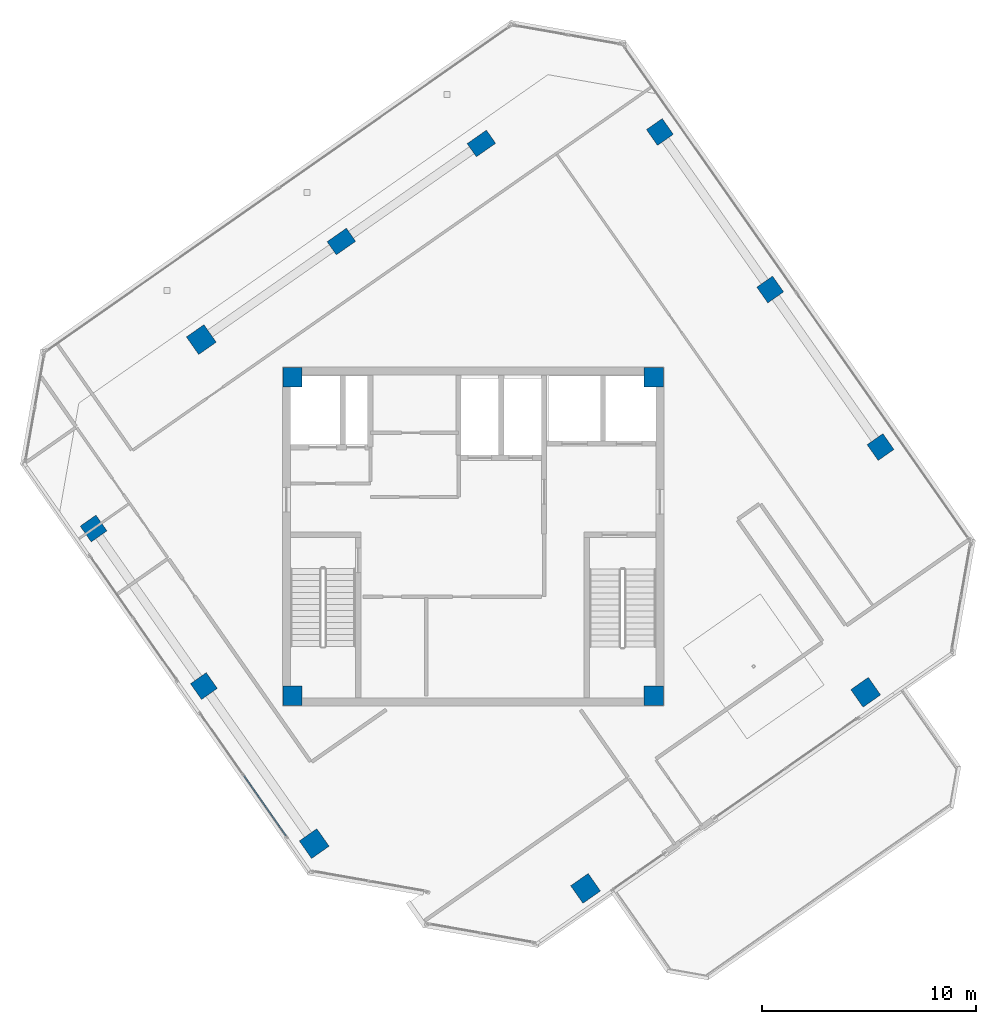
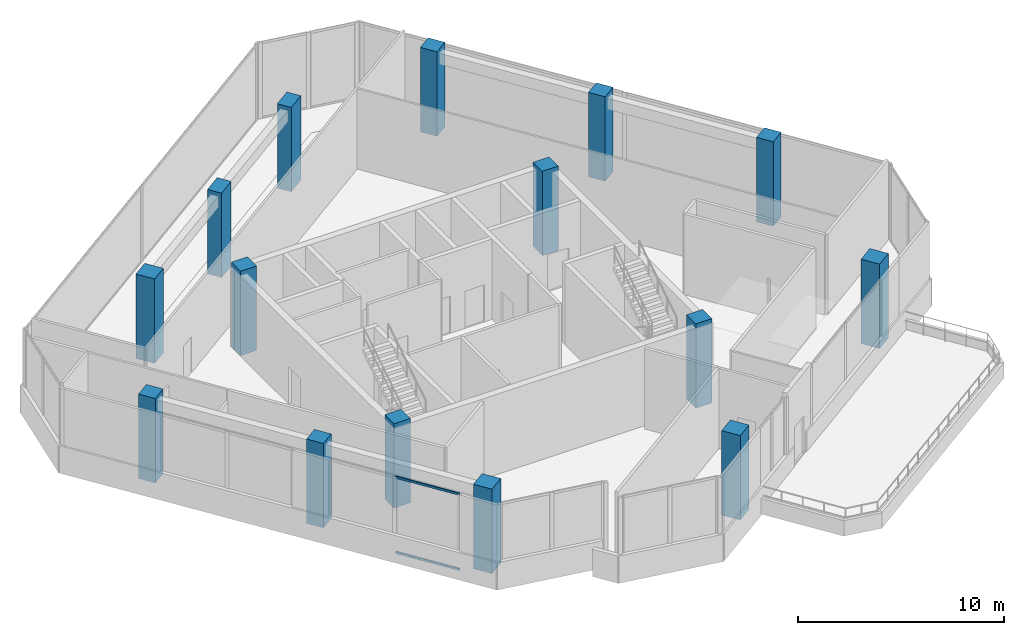
# One storey, part 1 of 16: 15 columns, 2 members, 1 element without a shape of its own.
"""IFC4 building model written with IfcOpenShell, lengths in metres."""

from ifc_helpers import new_model, si_unit, direction, frame, origin, origin_2d, place, context, subcontext, project, spatial, rectangle, hollow_rectangle, extrude, source, transform, mapped, material, material_profile, profile_set, type_object, element, aggregate, save


model = new_model("IFC4")

# Units and contexts
model_context = context("Model", 3, precision=1e-05, world=origin(), true_north=direction((0.0, 1.0)))
body_context = subcontext(model_context, "Body", "Model", "MODEL_VIEW")
ifc_project = project(units=[si_unit("LENGTHUNIT", "METRE"), si_unit("AREAUNIT", "SQUARE_METRE"), si_unit("VOLUMEUNIT", "CUBIC_METRE"), si_unit("PLANEANGLEUNIT", "RADIAN"), si_unit("MASSUNIT", "GRAM", prefix="KILO")], contexts=[model_context])

# Site, building, storey
site_placement = place(None, origin())
site = spatial("IfcSite", under=ifc_project, at=site_placement, CompositionType="ELEMENT")
building_placement = place(site_placement, origin())
building = spatial("IfcBuilding", under=site, at=building_placement, Name="Torre Montelarca", CompositionType="ELEMENT")
storey_placement = place(building_placement, frame((0.0, 0.0, 293.800048828125)))
storey = spatial("IfcBuildingStorey", under=building, at=storey_placement, Name="L66", CompositionType="ELEMENT", Elevation=293.800048828125)

# Columns
ifc_material_1 = material(Name="Concrete C55/67", Category="concrete")
ifc_material_profile_1 = material_profile(ifc_material_1, rectangle(XDim=0.89990234375, YDim=0.89990234375, at=origin_2d()), Name="RC900X900", Category="concrete")
ifc_profile_set_1 = profile_set([ifc_material_profile_1], Name="Concrete C55/67")
column_type_1 = type_object("IfcColumnType", Name="COL-RC900", PredefinedType="COLUMN", material=ifc_profile_set_1)
shared_shape_1 = source(origin(), body_context, "Body", "SweptSolid", [
    extrude(rectangle(XDim=0.89990234375, YDim=0.89990234375, at=origin_2d()), origin(), (0.0, 0.0, 1.0), 4.99853515625),
])
for number, where, z_axis, x_axis, name in (
    (1, (9.550048828125, 24.550048828125, 0.000732421875), (0.0, 0.0, 1.0), (1.0, 0.0, 0.0), "L66 Plumb Core Corner Column 2D"),
    (2, (26.449951171875, 24.550048828125, 0.000732421875), (0.0, 0.0, 1.0), (1.0, 0.0, 0.0), "L66 Plumb Core Corner Column 4D"),
    (3, (9.550048828125, 39.449951171875, 0.000732421875), (0.0, 0.0, 1.0), (1.0, 0.0, 0.0), "L66 Plumb Core Corner Column 2F"),
    (4, (26.449951171875, 39.449951171875, 0.000732421875), (0.0, 0.0, 1.0), (1.0, 0.0, 0.0), "L66 Plumb Core Corner Column 4F"),
):
    element("IfcColumn", number, at=place(storey_placement, frame(where, z_axis=z_axis, x_axis=x_axis)), inside=storey, type_object=column_type_1, Name=name, PredefinedType="COLUMN", context=body_context, shape_type="MappedRepresentation", body=[
        mapped(shared_shape_1, transform((0.0, 0.0, 0.0), scale=1.0)),
    ])
ifc_material_profile_2 = material_profile(ifc_material_1, rectangle(XDim=0.89990234375, YDim=0.89990234375, at=origin_2d()), Name="RC900X900", Category="concrete")
ifc_profile_set_2 = profile_set([ifc_material_profile_2], Name="Concrete C55/67")
column_type_2 = type_object("IfcColumnType", Name="COL-RC900-EXT", PredefinedType="COLUMN", material=ifc_profile_set_2)
shared_shape_2 = source(origin(), body_context, "Body", "SweptSolid", [
    extrude(rectangle(XDim=0.89990234375, YDim=0.89990234375, at=origin_2d()), origin(), (0.0, 0.0, 1.0), 4.99853515625),
])
for number, where, z_axis, x_axis, name in (
    (5, (0.240966796875, 32.373779296875, 0.000732421875), (0.0, 0.0, 1.0), (-0.573576436351, 0.819152044289, 0.0), "L66 Column 2/CS"),
    (6, (26.740478515625, 50.92919921875, 0.000732421875), (0.0, 0.0, 1.0), (-0.573576436351, 0.819152044289, 0.0), "L66 Column 2/GN"),
    (7, (5.403076171875, 25.00146484375, 0.000732421875), (0.0, 0.0, 1.0), (-0.573576436351, 0.819152044289, 0.0), "L66 Column 3/CS"),
    (8, (31.902587890625, 43.556640625, 0.000732421875), (0.0, 0.0, 1.0), (-0.573576436351, 0.819152044289, 0.0), "L66 Column 3/GN"),
    (9, (37.064697265625, 36.184326171875, 0.000732421875), (0.0, 0.0, 1.0), (-0.573576436351, 0.819152044289, 0.0), "L66 Column 4/GN"),
):
    element("IfcColumn", number, at=place(storey_placement, frame(where, z_axis=z_axis, x_axis=x_axis)), inside=storey, type_object=column_type_2, Name=name, PredefinedType="COLUMN", context=body_context, shape_type="MappedRepresentation", body=[
        mapped(shared_shape_2, transform((0.0, 0.0, 0.0), scale=1.0)),
    ])
ifc_material_profile_3 = material_profile(ifc_material_1, rectangle(XDim=1.0, YDim=1.0, at=origin_2d()), Name="RC1000X1000", Category="concrete")
ifc_profile_set_3 = profile_set([ifc_material_profile_3], Name="Concrete C55/67")
column_type_3 = type_object("IfcColumnType", Name="COL-RC1000-EXT", PredefinedType="COLUMN", material=ifc_profile_set_3)
shared_shape_3 = source(origin(), body_context, "Body", "SweptSolid", [
    extrude(rectangle(XDim=1.0, YDim=1.0, at=origin_2d()), origin(), (0.0, 0.0, 1.0), 4.99853515625),
])
for number, where, z_axis, x_axis, name in (
    (10, (10.565185546875, 17.629150390625, 0.000732421875), (0.0, 0.0, 1.0), (-0.573576436351, 0.819152044289, 0.0), "L66 Column 4/CS"),
    (11, (23.263671875, 15.53369140625, 0.000732421875), (0.0, 0.0, 1.0), (-0.573576436351, 0.819152044289, 0.0), "L66 Column 5/D"),
    (12, (36.3701171875, 24.7109375, 0.000732421875), (0.0, 0.0, 1.0), (-0.573576436351, 0.819152044289, 0.0), "L66 Column 5/F"),
    (13, (5.281982421875, 41.214111328125, 0.000732421875), (0.0, 0.0, 1.0), (-0.573576436351, 0.819152044289, 0.0), "L66 Column 1W/D"),
):
    element("IfcColumn", number, at=place(storey_placement, frame(where, z_axis=z_axis, x_axis=x_axis)), inside=storey, type_object=column_type_3, Name=name, PredefinedType="COLUMN", context=body_context, shape_type="MappedRepresentation", body=[
        mapped(shared_shape_3, transform((0.0, 0.0, 0.0), scale=1.0)),
    ])
ifc_material_2 = material(Name="Concrete C40/50", Category="concrete")
ifc_material_profile_4 = material_profile(ifc_material_2, rectangle(XDim=0.75, YDim=1.10009765625, at=origin_2d()), Name="RC1100X750", Category="concrete")
ifc_profile_set_4 = profile_set([ifc_material_profile_4], Name="Concrete C40/50")
column_type_4 = type_object("IfcColumnType", Name="COL-PIL1100-EXT", PredefinedType="PILASTER", material=ifc_profile_set_4)
shared_shape_4 = source(origin(), body_context, "Body", "SweptSolid", [
    extrude(rectangle(XDim=0.75, YDim=1.10009765625, at=origin_2d()), origin(), (0.0, 0.0, 1.0), 4.99853515625),
])
for number, where, z_axis, x_axis, name in (
    (14, (11.835205078125, 45.802734375, 0.000732421875), (0.0, 0.0, 1.0), (-0.573576436351, 0.819152044289, 0.0), "L66 Column 1W/E"),
    (15, (18.388427734375, 50.391357421875, 0.000732421875), (0.0, 0.0, 1.0), (-0.573576436351, 0.819152044289, 0.0), "L66 Column 1W/F"),
):
    element("IfcColumn", number, at=place(storey_placement, frame(where, z_axis=z_axis, x_axis=x_axis)), inside=storey, type_object=column_type_4, Name=name, PredefinedType="PILASTER", context=body_context, shape_type="MappedRepresentation", body=[
        mapped(shared_shape_4, transform((0.0, 0.0, 0.0), scale=1.0)),
    ])

# Curtain wall, members
ifc_material_3 = material(Name="Insulated low-E laminated glass", Category="glass")
curtain_wall_type = type_object("IfcCurtainWallType", Name="CW-SYS-Z4", PredefinedType="USERDEFINED", material=ifc_material_3)
curtain_wall_placement = place(storey_placement, origin())
curtain_wall = element("IfcCurtainWall", 16, at=curtain_wall_placement, inside=storey, type_object=curtain_wall_type, Name="L66 Curtain Wall Run CW-T3-L66-E01-B2", ObjectType="UNITISED GLAZING", PredefinedType="USERDEFINED")
ifc_material_4 = material(Name="Anodised aluminium AA 6063-T6", Category="aluminium")
ifc_material_profile_5 = material_profile(ifc_material_4, hollow_rectangle(XDim=0.06494140625, YDim=0.139892578125, WallThickness=0.00390625, InnerFilletRadius=0.00390625, OuterFilletRadius=0.008056640625, at=origin_2d()), Name="ALU65X140X4", Category="aluminium")
ifc_profile_set_5 = profile_set([ifc_material_profile_5], Name="Anodised aluminium AA 6063-T6")
member_type = type_object("IfcMemberType", Name="CWT-ALU140", PredefinedType="USERDEFINED", material=ifc_profile_set_5)
shared_shape_5 = source(origin(), body_context, "Body", "SweptSolid", [
    extrude(hollow_rectangle(XDim=0.06494140625, YDim=0.139892578125, WallThickness=0.00390625, InnerFilletRadius=0.00390625, OuterFilletRadius=0.008056640625, at=origin_2d()), origin(), (0.0, 0.0, 1.0), 3.432373046875),
])
member_1_placement = place(storey_placement, frame((7.27880859375, 20.80615234375, 0.032470703125), z_axis=(0.573562585209, -0.819161742789, 0.0), x_axis=(0.819161742789, 0.573562585209, 0.0)))
member_1 = element("IfcMember", 17, at=member_1_placement, type_object=member_type, Name="CW transom 2.1", ObjectType="TRANSOM", PredefinedType="USERDEFINED", context=body_context, shape_type="MappedRepresentation", body=[
    mapped(shared_shape_5, transform((0.0, 0.0, 0.0), scale=1.0)),
])
member_2_placement = place(storey_placement, frame((7.27880859375, 20.80615234375, 4.487548828125), z_axis=(0.573562585209, -0.819161742789, 0.0), x_axis=(0.819161742789, 0.573562585209, 0.0)))
member_2 = element("IfcMember", 18, at=member_2_placement, type_object=member_type, Name="CW transom 2.2", ObjectType="TRANSOM", PredefinedType="USERDEFINED", context=body_context, shape_type="MappedRepresentation", body=[
    mapped(shared_shape_5, transform((0.0, 0.0, 0.0), scale=1.0)),
])
aggregate(curtain_wall, [member_1, member_2])

save(model, "model.ifc")
